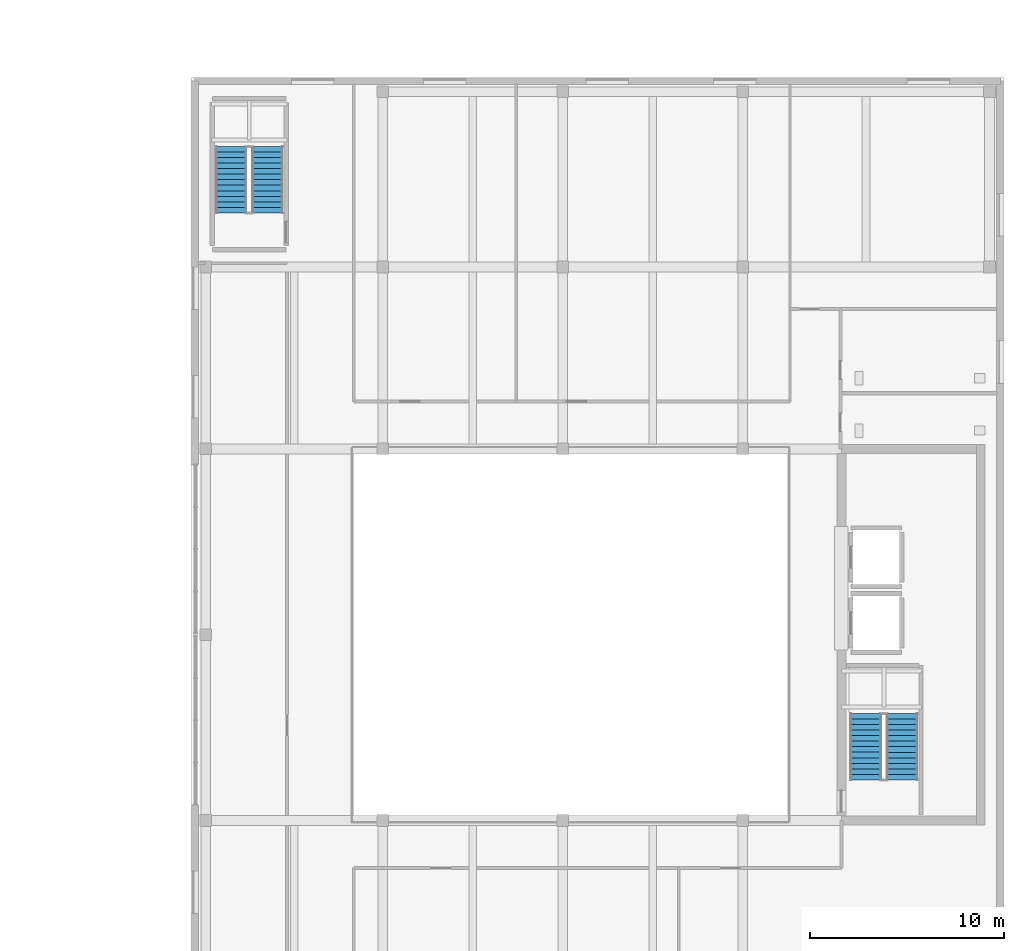
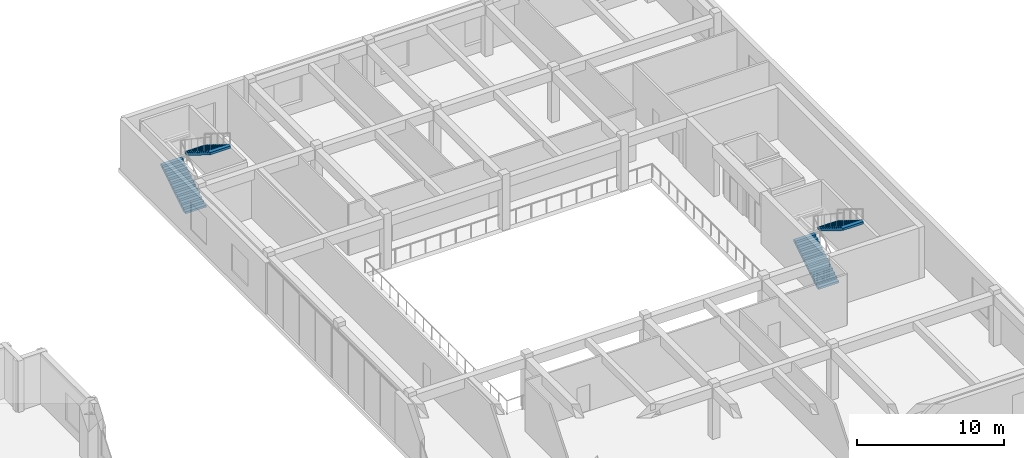
# One storey, part 13 of 24: 4 stair flights, 2 elements without a shape of their own.
"""IFC4 building model written with IfcOpenShell, lengths in metres."""

import ifcopenshell
import ifcopenshell.guid

model = None  # the IFC model being written
_history = None  # IfcOwnerHistory: only IFC2X3 demands one
_inside = {}  # id of a spatial element -> (the spatial element, [elements in it])
_under = {}  # id of a project, library or spatial element -> (it, [spatial elements below it])
_declared = {}  # id of a project -> (the project, [libraries it declares])
_typed = {}  # id of a type object -> (the type object, [elements of that type])
_made_of = {}  # id of a material, layer set ... -> (it, [elements and type objects made of it])


def new_model(schema):
    """Start an empty IFC model of exactly this schema.

    Asked for "IFC4X3", IfcOpenShell would pick the latest addendum, in which some entities
    have other attributes; the version numbers below select the first issue.
    IFC2X3 requires an IfcOwnerHistory on every rooted entity: one is made here for all.
    """
    global model, _history
    if schema == "IFC4X3":
        model = ifcopenshell.file(schema_version=(4, 3, 0, 0))
    else:
        model = ifcopenshell.file(schema=schema)
    _inside.clear()
    _under.clear()
    _declared.clear()
    _typed.clear()
    _made_of.clear()
    _history = None
    if model.schema == "IFC2X3":
        org = make("IfcOrganization", Name="unknown")
        user = make(
            "IfcPersonAndOrganization",
            ThePerson=make("IfcPerson", FamilyName="unknown"),
            TheOrganization=org,
        )
        app = make(
            "IfcApplication",
            ApplicationDeveloper=org,
            Version="unknown",
            ApplicationFullName="unknown",
            ApplicationIdentifier="unknown",
        )
        _history = make(
            "IfcOwnerHistory",
            OwningUser=user,
            OwningApplication=app,
            ChangeAction="ADDED",
            CreationDate=0,
        )
    return model


def make(cls, **values):
    """One entity of the class cls with the attributes given. An attribute that is None is left unset."""
    return model.create_entity(
        cls, **{name: value for name, value in values.items() if value is not None}
    )


def rooted(cls, **values):
    """An entity with a GlobalId (a new one), such as an element, a storey or a relation."""
    return make(cls, GlobalId=ifcopenshell.guid.new(), OwnerHistory=_history, **values)


def si_unit(unit_type, name, prefix=None):
    """IfcSIUnit, for example si_unit("LENGTHUNIT", "METRE", prefix="MILLI")."""
    return make("IfcSIUnit", UnitType=unit_type, Prefix=prefix, Name=name)


def assignment(units):
    """IfcUnitAssignment: the units of a project."""
    return None if units is None else make("IfcUnitAssignment", Units=units)


def point(xyz):
    """IfcCartesianPoint."""
    return None if xyz is None else make("IfcCartesianPoint", Coordinates=xyz)


def direction(xyz):
    """IfcDirection."""
    return None if xyz is None else make("IfcDirection", DirectionRatios=xyz)


def frame(location, z_axis=None, x_axis=None):
    """IfcAxis2Placement3D, a coordinate frame: its origin and axes. An axis left out is left unset."""
    return make(
        "IfcAxis2Placement3D",
        Location=point(location),
        Axis=direction(z_axis),
        RefDirection=direction(x_axis),
    )


def origin():
    """The frame at (0, 0, 0) with its axes left unset."""
    return frame((0.0, 0.0, 0.0))


def place(relative_to, where):
    """IfcLocalPlacement: puts the frame where relative to a parent placement (None: the world)."""
    return make(
        "IfcLocalPlacement", PlacementRelTo=relative_to, RelativePlacement=where
    )


def context(
    kind, dimensions, precision=None, world=None, true_north=None, identifier=None
):
    """IfcGeometricRepresentationContext, for example the 3D "Model" context."""
    return make(
        "IfcGeometricRepresentationContext",
        ContextIdentifier=identifier,
        ContextType=kind,
        CoordinateSpaceDimension=dimensions,
        Precision=precision,
        WorldCoordinateSystem=world,
        TrueNorth=true_north,
    )


def subcontext(parent, identifier, kind, view, scale=None):
    """IfcGeometricRepresentationSubContext, for example "Body" below "Model"."""
    return make(
        "IfcGeometricRepresentationSubContext",
        ContextIdentifier=identifier,
        ContextType=kind,
        ParentContext=parent,
        TargetScale=scale,
        TargetView=view,
    )


def project(units=None, contexts=None):
    """IfcProject with its units and contexts."""
    return rooted(
        "IfcProject",
        Name="project",
        RepresentationContexts=contexts,
        UnitsInContext=assignment(units),
    )


def spatial(cls, under=None, at=None, **own):
    """A site, building, storey or space (cls), placed at a placement, below another one or the project."""
    s = rooted(cls, ObjectPlacement=at, **own)
    if under is not None:
        _under.setdefault(under.id(), (under, []))[1].append(s)
    return s


def polyline(points):
    """IfcPolyline through the points."""
    return make("IfcPolyline", Points=[point(p) for p in points])


def outline(outer, holes=None, kind="AREA"):
    """IfcArbitraryClosedProfileDef: a profile drawn as a closed curve; with holes, ...WithVoids."""
    if holes is None:
        return make("IfcArbitraryClosedProfileDef", ProfileType=kind, OuterCurve=outer)
    return make(
        "IfcArbitraryProfileDefWithVoids",
        ProfileType=kind,
        OuterCurve=outer,
        InnerCurves=holes,
    )


def extrude(swept, where, along, depth):
    """IfcExtrudedAreaSolid: the profile swept, set in the frame where, extruded along a direction by depth."""
    return make(
        "IfcExtrudedAreaSolid",
        SweptArea=swept,
        Position=where,
        ExtrudedDirection=direction(along),
        Depth=depth,
    )


def shape(context_of_items, identifier, shape_type, items):
    """IfcShapeRepresentation: the items that make up one representation, for example the "Body"."""
    return make(
        "IfcShapeRepresentation",
        ContextOfItems=context_of_items,
        RepresentationIdentifier=identifier,
        RepresentationType=shape_type,
        Items=items,
    )


def material(Name=None, Category=None):
    """IfcMaterial."""
    return make("IfcMaterial", Name=Name, Category=Category)


def made_of(thing, what):
    """Note that an element or type object is made of a material, layer set ...; save() writes the relation."""
    if what is not None:
        _made_of.setdefault(what.id(), (what, []))[1].append(thing)
    return thing


def type_object(cls, material=None, **own):
    """A type object (cls), such as IfcWallType, which elements share."""
    return made_of(rooted(cls, **own), material)


def element(
    cls,
    number,
    at=None,
    inside=None,
    cuts=None,
    type_object=None,
    material=None,
    context=None,
    identifier="Body",
    shape_type=None,
    held_by="IfcProductDefinitionShape",
    body=None,
    shapes=None,
    **own,
):
    """One element of the class cls, such as IfcWall. Its Tag is "e" and its number.

    at: its placement. inside: the storey or other place that contains it. cuts: it is an
    opening in that element (IfcRelVoidsElement). A single representation is given by context,
    identifier, shape_type and body (its items); several are given by shapes. held_by: the class
    of the entity that holds the representations. save() writes the other relations.
    """
    e = rooted(cls, Tag="e%d" % number, ObjectPlacement=at, **own)
    if body is not None:
        shapes = [shape(context, identifier, shape_type, body)]
    if shapes is not None:
        e.Representation = make(held_by, Representations=shapes)
    if inside is not None:
        _inside.setdefault(inside.id(), (inside, []))[1].append(e)
    if cuts is not None:
        rooted(
            "IfcRelVoidsElement", RelatingBuildingElement=cuts, RelatedOpeningElement=e
        )
    if type_object is not None:
        _typed.setdefault(type_object.id(), (type_object, []))[1].append(e)
    return made_of(e, material)


def aggregate(whole, parts):
    """IfcRelAggregates: a whole, such as a stair, and the parts it consists of."""
    return rooted("IfcRelAggregates", RelatingObject=whole, RelatedObjects=parts)


def save(model, path):
    """Write the relations noted so far, then the file.

    IfcRelAggregates (storeys below a building ...), IfcRelContainedInSpatialStructure (elements
    in a storey), IfcRelDefinesByType, IfcRelAssociatesMaterial and IfcRelDeclares: one each for
    every whole, place, type object, material and project.
    """
    for whole, parts in _under.values():
        aggregate(whole, parts)
    for where, things in _inside.values():
        rooted(
            "IfcRelContainedInSpatialStructure",
            RelatedElements=things,
            RelatingStructure=where,
        )
    for kind, things in _typed.values():
        rooted("IfcRelDefinesByType", RelatedObjects=things, RelatingType=kind)
    for what, things in _made_of.values():
        rooted("IfcRelAssociatesMaterial", RelatedObjects=things, RelatingMaterial=what)
    for by, libraries in _declared.values():
        rooted("IfcRelDeclares", RelatingContext=by, RelatedDefinitions=libraries)
    model.write(path)


model = new_model("IFC4")

# Units and contexts
model_context = context("Model", 3, precision=1e-05, world=origin(), true_north=direction((0.0, 1.0)))
body_context = subcontext(model_context, "Body", "Model", "MODEL_VIEW")
ifc_project = project(units=[si_unit("LENGTHUNIT", "METRE"), si_unit("AREAUNIT", "SQUARE_METRE"), si_unit("VOLUMEUNIT", "CUBIC_METRE"), si_unit("PLANEANGLEUNIT", "RADIAN"), si_unit("MASSUNIT", "GRAM", prefix="KILO")], contexts=[model_context])

# Site, building, storey
site_placement = place(None, origin())
site = spatial("IfcSite", under=ifc_project, at=site_placement, CompositionType="ELEMENT")
building_placement = place(site_placement, origin())
building = spatial("IfcBuilding", under=site, at=building_placement, Name="Norrvale University Quadrangle", CompositionType="ELEMENT")
storey_placement = place(building_placement, frame((0.0, 0.0, 10.39990234375)))
storey = spatial("IfcBuildingStorey", under=building, at=storey_placement, Name="L02", CompositionType="ELEMENT", Elevation=10.39990234375)

# Stair, stair flights
ifc_material = material(Name="Concrete C40/50", Category="concrete")
stair_type = type_object("IfcStairType", Name="Stair Lib 4600", PredefinedType="TWO_STRAIGHT_RUN_STAIR", material=ifc_material)
stair_1_placement = place(storey_placement, origin())
stair_1 = element("IfcStair", 1, at=stair_1_placement, inside=storey, type_object=stair_type, Name="Exit Stair ST-L1 L02", PredefinedType="TWO_STRAIGHT_RUN_STAIR")
stair_flight_type = type_object("IfcStairFlightType", Name="Flight Lib 1550", PredefinedType="STRAIGHT", material=ifc_material)
stair_flight_1_placement = place(storey_placement, frame((120.050048828125, 21.300048828125, 0.0), z_axis=(0.0, 0.0, 1.0), x_axis=(0.0, 1.0, 0.0)))
stair_flight_1 = element("IfcStairFlight", 2, at=stair_flight_1_placement, type_object=stair_flight_type, Name="Exit Stair ST-L1 L02 Lower Flight", NumberOfRisers=13, NumberOfTreads=12, PredefinedType="STRAIGHT", RiserHeight=0.176923, TreadLength=0.285, context=body_context, shape_type="SweptSolid", body=[
    extrude(outline(polyline([(0.0, 0.0), (0.0, 0.177001953125), (0.284912109375, 0.177001953125), (0.284912109375, 0.353759765625), (0.570068359375, 0.353759765625), (0.570068359375, 0.53076171875), (0.85498046875, 0.53076171875), (0.85498046875, 0.707763671875), (1.139892578125, 0.707763671875), (1.139892578125, 0.884521484375), (1.425048828125, 0.884521484375), (1.425048828125, 1.0615234375), (1.7099609375, 1.0615234375), (1.7099609375, 1.238525390625), (1.9951171875, 1.238525390625), (1.9951171875, 1.415283203125), (2.280029296875, 1.415283203125), (2.280029296875, 1.59228515625), (2.56494140625, 1.59228515625), (2.56494140625, 1.769287109375), (2.85009765625, 1.769287109375), (2.85009765625, 1.946044921875), (3.135009765625, 1.946044921875), (3.135009765625, 2.123046875), (3.419921875, 2.123046875), (3.419921875, 2.300048828125), (3.419921875, 1.934814453125), (0.30322265625, 0.0), (0.0, 0.0)])), frame((0.0, 0.81005859375, 0.0), z_axis=(0.0, -1.0, 0.0), x_axis=(1.0, 0.0, 0.0)), (0.0, 0.0, 1.0), 1.6201171875),
])
stair_flight_2_placement = place(storey_placement, frame((121.949951171875, 24.719970703125, 2.300048828125), z_axis=(0.0, 0.0, 1.0), x_axis=(0.0, -1.0, 0.0)))
stair_flight_2 = element("IfcStairFlight", 3, at=stair_flight_2_placement, type_object=stair_flight_type, Name="Exit Stair ST-L1 L02 Upper Flight", NumberOfRisers=13, NumberOfTreads=12, PredefinedType="STRAIGHT", RiserHeight=0.176923, TreadLength=0.285, context=body_context, shape_type="SweptSolid", body=[
    extrude(outline(polyline([(0.0, 0.0), (0.0, 0.177001953125), (0.284912109375, 0.177001953125), (0.284912109375, 0.353759765625), (0.570068359375, 0.353759765625), (0.570068359375, 0.53076171875), (0.85498046875, 0.53076171875), (0.85498046875, 0.707763671875), (1.139892578125, 0.707763671875), (1.139892578125, 0.884521484375), (1.425048828125, 0.884521484375), (1.425048828125, 1.0615234375), (1.7099609375, 1.0615234375), (1.7099609375, 1.238525390625), (1.9951171875, 1.238525390625), (1.9951171875, 1.415283203125), (2.280029296875, 1.415283203125), (2.280029296875, 1.59228515625), (2.56494140625, 1.59228515625), (2.56494140625, 1.769287109375), (2.85009765625, 1.769287109375), (2.85009765625, 1.946044921875), (3.135009765625, 1.946044921875), (3.135009765625, 2.123046875), (3.419921875, 2.123046875), (3.419921875, 2.300048828125), (3.419921875, 1.934814453125), (0.30322265625, 0.0), (0.0, 0.0)])), frame((0.0, 0.81005859375, 0.0), z_axis=(0.0, -1.0, 0.0), x_axis=(1.0, 0.0, 0.0)), (0.0, 0.0, 1.0), 1.6201171875),
])
aggregate(stair_1, [stair_flight_1, stair_flight_2])

stair_2_placement = place(storey_placement, origin())
stair_2 = element("IfcStair", 4, at=stair_2_placement, inside=storey, type_object=stair_type, Name="Exit Stair ST-L3 L02", PredefinedType="TWO_STRAIGHT_RUN_STAIR")
stair_flight_3_placement = place(storey_placement, frame((87.25, 50.60009765625, 0.0), z_axis=(0.0, 0.0, 1.0), x_axis=(0.0, 1.0, 0.0)))
stair_flight_3 = element("IfcStairFlight", 5, at=stair_flight_3_placement, type_object=stair_flight_type, Name="Exit Stair ST-L3 L02 Lower Flight", NumberOfRisers=13, NumberOfTreads=12, PredefinedType="STRAIGHT", RiserHeight=0.176923, TreadLength=0.285, context=body_context, shape_type="SweptSolid", body=[
    extrude(outline(polyline([(0.0, 0.0), (0.0, 0.177001953125), (0.284912109375, 0.177001953125), (0.284912109375, 0.353759765625), (0.570068359375, 0.353759765625), (0.570068359375, 0.53076171875), (0.85498046875, 0.53076171875), (0.85498046875, 0.707763671875), (1.139892578125, 0.707763671875), (1.139892578125, 0.884521484375), (1.425048828125, 0.884521484375), (1.425048828125, 1.0615234375), (1.7099609375, 1.0615234375), (1.7099609375, 1.238525390625), (1.9951171875, 1.238525390625), (1.9951171875, 1.415283203125), (2.280029296875, 1.415283203125), (2.280029296875, 1.59228515625), (2.56494140625, 1.59228515625), (2.56494140625, 1.769287109375), (2.85009765625, 1.769287109375), (2.85009765625, 1.946044921875), (3.135009765625, 1.946044921875), (3.135009765625, 2.123046875), (3.419921875, 2.123046875), (3.419921875, 2.300048828125), (3.419921875, 1.934814453125), (0.30322265625, 0.0), (0.0, 0.0)])), frame((0.0, 0.81005859375, 0.0), z_axis=(0.0, -1.0, 0.0), x_axis=(1.0, 0.0, 0.0)), (0.0, 0.0, 1.0), 1.6201171875),
])
stair_flight_4_placement = place(storey_placement, frame((89.14990234375, 54.02001953125, 2.300048828125), z_axis=(0.0, 0.0, 1.0), x_axis=(0.0, -1.0, 0.0)))
stair_flight_4 = element("IfcStairFlight", 6, at=stair_flight_4_placement, type_object=stair_flight_type, Name="Exit Stair ST-L3 L02 Upper Flight", NumberOfRisers=13, NumberOfTreads=12, PredefinedType="STRAIGHT", RiserHeight=0.176923, TreadLength=0.285, context=body_context, shape_type="SweptSolid", body=[
    extrude(outline(polyline([(0.0, 0.0), (0.0, 0.177001953125), (0.284912109375, 0.177001953125), (0.284912109375, 0.353759765625), (0.570068359375, 0.353759765625), (0.570068359375, 0.53076171875), (0.85498046875, 0.53076171875), (0.85498046875, 0.707763671875), (1.139892578125, 0.707763671875), (1.139892578125, 0.884521484375), (1.425048828125, 0.884521484375), (1.425048828125, 1.0615234375), (1.7099609375, 1.0615234375), (1.7099609375, 1.238525390625), (1.9951171875, 1.238525390625), (1.9951171875, 1.415283203125), (2.280029296875, 1.415283203125), (2.280029296875, 1.59228515625), (2.56494140625, 1.59228515625), (2.56494140625, 1.769287109375), (2.85009765625, 1.769287109375), (2.85009765625, 1.946044921875), (3.135009765625, 1.946044921875), (3.135009765625, 2.123046875), (3.419921875, 2.123046875), (3.419921875, 2.300048828125), (3.419921875, 1.934814453125), (0.30322265625, 0.0), (0.0, 0.0)])), frame((0.0, 0.81005859375, 0.0), z_axis=(0.0, -1.0, 0.0), x_axis=(1.0, 0.0, 0.0)), (0.0, 0.0, 1.0), 1.6201171875),
])
aggregate(stair_2, [stair_flight_3, stair_flight_4])

save(model, "model.ifc")
